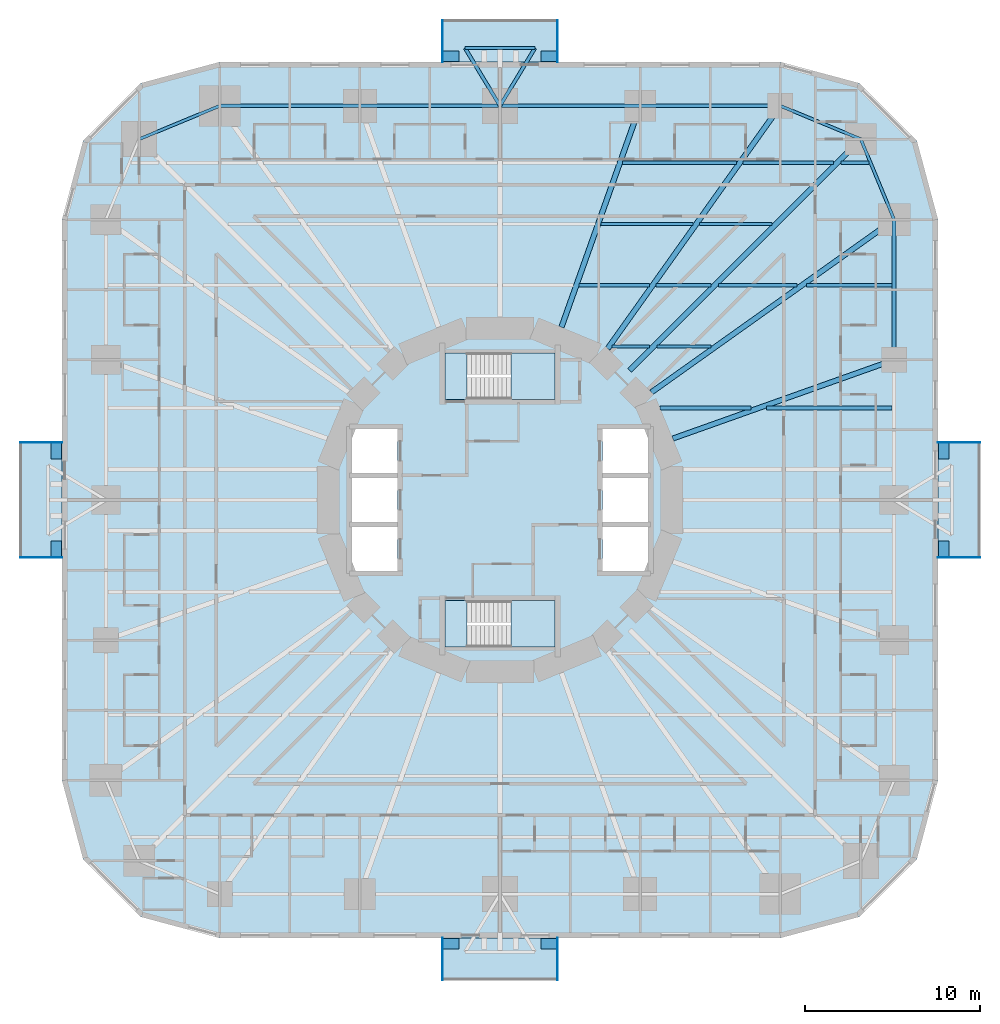
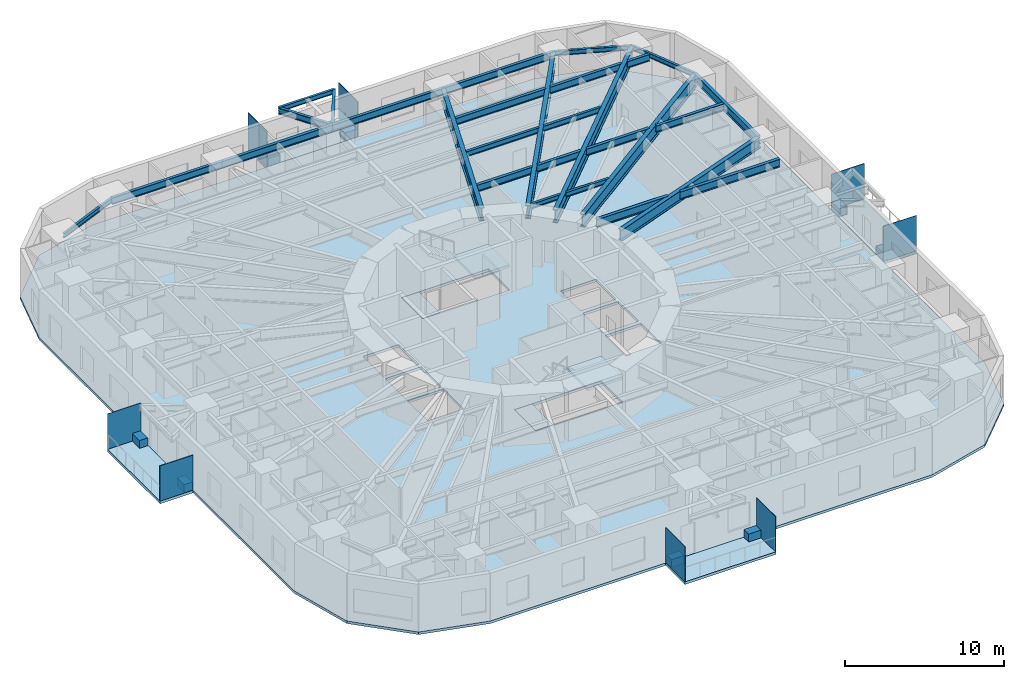
# One storey, part 3 of 14: 29 beams, 16 plates, 9 slabs, 2 elements without a shape of their own.
"""IFC4 building model written with IfcOpenShell, lengths in metres."""

from ifc_helpers import new_model, si_unit, direction, frame, origin, origin_2d, place, context, subcontext, project, spatial, polyline, rectangle, i_section, outline, extrude, material, layer, layer_set, material_profile, profile_set, type_object, element, aggregate, save


model = new_model("IFC4")

# Units and contexts
model_context = context("Model", 3, precision=1e-05, world=origin(), true_north=direction((0.0, 1.0)))
body_context = subcontext(model_context, "Body", "Model", "MODEL_VIEW")
ifc_project = project(units=[si_unit("LENGTHUNIT", "METRE"), si_unit("AREAUNIT", "SQUARE_METRE"), si_unit("VOLUMEUNIT", "CUBIC_METRE"), si_unit("PLANEANGLEUNIT", "RADIAN"), si_unit("MASSUNIT", "GRAM", prefix="KILO")], contexts=[model_context])

# Site, building, storey
site_placement = place(None, origin())
site = spatial("IfcSite", under=ifc_project, at=site_placement, CompositionType="ELEMENT")
building_placement = place(site_placement, origin())
building = spatial("IfcBuilding", under=site, at=building_placement, Name="Nakasero Lantern House", CompositionType="ELEMENT")
storey_placement = place(building_placement, frame((0.0, 0.0, 39.10009765625)))
storey = spatial("IfcBuildingStorey", under=building, at=storey_placement, Name="L09", CompositionType="ELEMENT", Elevation=39.10009765625)

# Beams
ifc_material_1 = material(Name="Steel S355", Category="steel")
ifc_material_profile_1 = material_profile(ifc_material_1, i_section(OverallWidth=0.199462890625, OverallDepth=0.491943359375, WebThickness=0.01806640625, FlangeThickness=0.031982421875, FilletRadius=0.01025390625, at=origin_2d()), Name="UB 457x191x161")
ifc_profile_set_1 = profile_set([ifc_material_profile_1], Name="Steel S355")
beam_type_1 = type_object("IfcBeamType", Name="Balcony splay beam UB 457x191x161", PredefinedType="BEAM", material=ifc_profile_set_1)
for number, where, z_axis, x_axis, name in (
    (1, (0.0, 22.5, 3.40380859375), (-0.518296107317, 0.855201230787, 0.0), (-0.855201230787, -0.518296107317, 0.0), "Balcony splay beam L10 B1-C09A"),
    (2, (0.0, 22.5, 3.40380859375), (0.518296107317, 0.855201230787, 0.0), (-0.855201230787, 0.518296107317, 0.0), "Balcony splay beam L10 B1-C09B"),
):
    element("IfcBeam", number, at=place(storey_placement, frame(where, z_axis=z_axis, x_axis=x_axis)), inside=storey, type_object=beam_type_1, Name=name, PredefinedType="BEAM", context=body_context, shape_type="SweptSolid", body=[
        extrude(i_section(OverallWidth=0.199462890625, OverallDepth=0.491943359375, WebThickness=0.01806640625, FlangeThickness=0.031982421875, FilletRadius=0.01025390625, at=origin_2d()), origin(), (0.0, 0.0, 1.0), 3.85888671875),
    ])
ifc_material_2 = material(Name="Steel S355", Category="steel")
ifc_material_profile_2 = material_profile(ifc_material_2, i_section(OverallWidth=0.17138671875, OverallDepth=0.35498046875, WebThickness=0.00732421875, FlangeThickness=0.011474609375, FilletRadius=0.01025390625, at=origin_2d()), Name="UB 356x171x51")
ifc_profile_set_2 = profile_set([ifc_material_profile_2], Name="Steel S355")
beam_type_2 = type_object("IfcBeamType", Name="Balcony tie beam UB 356x171x51", PredefinedType="BEAM", material=ifc_profile_set_2)
beam_1_placement = place(storey_placement, frame((-2.0, 25.800048828125, 3.472412109375), z_axis=(1.0, 0.0, 0.0), x_axis=(0.0, 1.0, 0.0)))
element("IfcBeam", 3, at=beam_1_placement, inside=storey, type_object=beam_type_2, Name="Balcony tie beam L10 B1-C09", PredefinedType="BEAM", context=body_context, shape_type="SweptSolid", body=[
    extrude(i_section(OverallWidth=0.17138671875, OverallDepth=0.35498046875, WebThickness=0.00732421875, FlangeThickness=0.011474609375, FilletRadius=0.01025390625, at=origin_2d()), origin(), (0.0, 0.0, 1.0), 4.0),
])
ifc_material_3 = material(Name="Steel S355", Category="steel")
ifc_material_profile_3 = material_profile(ifc_material_3, i_section(OverallWidth=0.17138671875, OverallDepth=0.35498046875, WebThickness=0.00732421875, FlangeThickness=0.011474609375, FilletRadius=0.01025390625, at=origin_2d()), Name="UB 356x171x51")
ifc_profile_set_3 = profile_set([ifc_material_profile_3], Name="Steel S355")
beam_type_3 = type_object("IfcBeamType", Name="Infill beam UB 356x171x51", PredefinedType="JOIST", material=ifc_profile_set_3)
beam_2_placement = place(storey_placement, frame((6.40625, 8.75, 3.472412109375), z_axis=(1.0, 0.0, 0.0), x_axis=(0.0, 1.0, 0.0)))
element("IfcBeam", 4, at=beam_2_placement, inside=storey, type_object=beam_type_3, Name="Infill beam L10 10.3", PredefinedType="JOIST", context=body_context, shape_type="SweptSolid", body=[
    extrude(i_section(OverallWidth=0.17138671875, OverallDepth=0.35498046875, WebThickness=0.00732421875, FlangeThickness=0.011474609375, FilletRadius=0.01025390625, at=origin_2d()), origin(), (0.0, 0.0, 1.0), 2.131591796875),
])
beam_3_placement = place(storey_placement, frame((8.962158203125, 8.75, 3.472412109375), z_axis=(1.0, 0.0, 0.0), x_axis=(0.0, 1.0, 0.0)))
element("IfcBeam", 5, at=beam_3_placement, inside=storey, type_object=beam_type_3, Name="Infill beam L10 10.4", PredefinedType="JOIST", context=body_context, shape_type="SweptSolid", body=[
    extrude(i_section(OverallWidth=0.17138671875, OverallDepth=0.35498046875, WebThickness=0.00732421875, FlangeThickness=0.011474609375, FilletRadius=0.01025390625, at=origin_2d()), origin(), (0.0, 0.0, 1.0), 3.083740234375),
])
ifc_material_4 = material(Name="Steel S355", Category="steel")
ifc_material_profile_4 = material_profile(ifc_material_4, i_section(OverallWidth=0.177978515625, OverallDepth=0.406494140625, WebThickness=0.0078125, FlangeThickness=0.0126953125, FilletRadius=0.01025390625, at=origin_2d()), Name="UB 406x178x60")
ifc_profile_set_4 = profile_set([ifc_material_profile_4], Name="Steel S355")
beam_type_4 = type_object("IfcBeamType", Name="Infill beam UB 406x178x60", PredefinedType="JOIST", material=ifc_profile_set_4)
beam_4_placement = place(storey_placement, frame((5.75927734375, 15.75, 3.44677734375), z_axis=(1.0, 0.0, 0.0), x_axis=(0.0, 1.0, 0.0)))
element("IfcBeam", 6, at=beam_4_placement, inside=storey, type_object=beam_type_4, Name="Infill beam L10 12.5", PredefinedType="JOIST", context=body_context, shape_type="SweptSolid", body=[
    extrude(i_section(OverallWidth=0.177978515625, OverallDepth=0.406494140625, WebThickness=0.0078125, FlangeThickness=0.0126953125, FilletRadius=0.01025390625, at=origin_2d()), origin(), (0.0, 0.0, 1.0), 5.256591796875),
])
beam_5_placement = place(storey_placement, frame((11.384033203125, 15.75, 3.44677734375), z_axis=(1.0, 0.0, 0.0), x_axis=(0.0, 1.0, 0.0)))
element("IfcBeam", 7, at=beam_5_placement, inside=storey, type_object=beam_type_4, Name="Infill beam L10 12.6", PredefinedType="JOIST", context=body_context, shape_type="SweptSolid", body=[
    extrude(i_section(OverallWidth=0.177978515625, OverallDepth=0.406494140625, WebThickness=0.0078125, FlangeThickness=0.0126953125, FilletRadius=0.01025390625, at=origin_2d()), origin(), (0.0, 0.0, 1.0), 4.15380859375),
])
ifc_material_5 = material(Name="Steel S355", Category="steel")
ifc_material_profile_5 = material_profile(ifc_material_5, i_section(OverallWidth=0.208740234375, OverallDepth=0.5283203125, WebThickness=0.009521484375, FlangeThickness=0.01318359375, FilletRadius=0.0126953125, at=origin_2d()), Name="UB 533x210x82")
ifc_profile_set_5 = profile_set([ifc_material_profile_5], Name="Steel S355")
beam_type_5 = type_object("IfcBeamType", Name="Infill beam UB 533x210x82", PredefinedType="JOIST", material=ifc_profile_set_5)
beam_6_placement = place(storey_placement, frame((4.5146484375, 12.25, 3.3857421875), z_axis=(1.0, 0.0, 0.0), x_axis=(0.0, 1.0, 0.0)))
element("IfcBeam", 8, at=beam_6_placement, inside=storey, type_object=beam_type_5, Name="Infill beam L10 11.7", PredefinedType="JOIST", context=body_context, shape_type="SweptSolid", body=[
    extrude(i_section(OverallWidth=0.208740234375, OverallDepth=0.5283203125, WebThickness=0.009521484375, FlangeThickness=0.01318359375, FilletRadius=0.0126953125, at=origin_2d()), origin(), (0.0, 0.0, 1.0), 4.012451171875),
])
beam_7_placement = place(storey_placement, frame((8.895263671875, 12.25, 3.3857421875), z_axis=(1.0, 0.0, 0.0), x_axis=(0.0, 1.0, 0.0)))
element("IfcBeam", 9, at=beam_7_placement, inside=storey, type_object=beam_type_5, Name="Infill beam L10 11.8", PredefinedType="JOIST", context=body_context, shape_type="SweptSolid", body=[
    extrude(i_section(OverallWidth=0.208740234375, OverallDepth=0.5283203125, WebThickness=0.009521484375, FlangeThickness=0.01318359375, FilletRadius=0.0126953125, at=origin_2d()), origin(), (0.0, 0.0, 1.0), 3.142578125),
])
beam_8_placement = place(storey_placement, frame((12.462158203125, 12.25, 3.3857421875), z_axis=(1.0, 0.0, 0.0), x_axis=(0.0, 1.0, 0.0)))
element("IfcBeam", 10, at=beam_8_placement, inside=storey, type_object=beam_type_5, Name="Infill beam L10 11.9", PredefinedType="JOIST", context=body_context, shape_type="SweptSolid", body=[
    extrude(i_section(OverallWidth=0.208740234375, OverallDepth=0.5283203125, WebThickness=0.009521484375, FlangeThickness=0.01318359375, FilletRadius=0.0126953125, at=origin_2d()), origin(), (0.0, 0.0, 1.0), 4.505615234375),
])
beam_9_placement = place(storey_placement, frame((17.4853515625, 12.25, 3.3857421875), z_axis=(1.0, 0.0, 0.0), x_axis=(0.0, 1.0, 0.0)))
element("IfcBeam", 11, at=beam_9_placement, inside=storey, type_object=beam_type_5, Name="Infill beam L10 11.10", PredefinedType="JOIST", context=body_context, shape_type="SweptSolid", body=[
    extrude(i_section(OverallWidth=0.208740234375, OverallDepth=0.5283203125, WebThickness=0.009521484375, FlangeThickness=0.01318359375, FilletRadius=0.0126953125, at=origin_2d()), origin(), (0.0, 0.0, 1.0), 4.900146484375),
])
beam_10_placement = place(storey_placement, frame((7.003662109375, 19.25, 3.3857421875), z_axis=(1.0, 0.0, 0.0), x_axis=(0.0, 1.0, 0.0)))
element("IfcBeam", 12, at=beam_10_placement, inside=storey, type_object=beam_type_5, Name="Infill beam L10 13.6", PredefinedType="JOIST", context=body_context, shape_type="SweptSolid", body=[
    extrude(i_section(OverallWidth=0.208740234375, OverallDepth=0.5283203125, WebThickness=0.009521484375, FlangeThickness=0.01318359375, FilletRadius=0.0126953125, at=origin_2d()), origin(), (0.0, 0.0, 1.0), 6.501220703125),
])
beam_11_placement = place(storey_placement, frame((13.873046875, 19.25, 3.3857421875), z_axis=(1.0, 0.0, 0.0), x_axis=(0.0, 1.0, 0.0)))
element("IfcBeam", 13, at=beam_11_placement, inside=storey, type_object=beam_type_5, Name="Infill beam L10 13.7", PredefinedType="JOIST", context=body_context, shape_type="SweptSolid", body=[
    extrude(i_section(OverallWidth=0.208740234375, OverallDepth=0.5283203125, WebThickness=0.009521484375, FlangeThickness=0.01318359375, FilletRadius=0.0126953125, at=origin_2d()), origin(), (0.0, 0.0, 1.0), 5.164794921875),
])
beam_12_placement = place(storey_placement, frame((19.462158203125, 19.25, 3.3857421875), z_axis=(1.0, 0.0, 0.0), x_axis=(0.0, 1.0, 0.0)))
element("IfcBeam", 14, at=beam_12_placement, inside=storey, type_object=beam_type_5, Name="Infill beam L10 13.8", PredefinedType="JOIST", context=body_context, shape_type="SweptSolid", body=[
    extrude(i_section(OverallWidth=0.208740234375, OverallDepth=0.5283203125, WebThickness=0.009521484375, FlangeThickness=0.01318359375, FilletRadius=0.0126953125, at=origin_2d()), origin(), (0.0, 0.0, 1.0), 1.598876953125),
])
ifc_material_6 = material(Name="Steel S355", Category="steel")
ifc_material_profile_6 = material_profile(ifc_material_6, i_section(OverallWidth=0.2275390625, OverallDepth=0.6025390625, WebThickness=0.010498046875, FlangeThickness=0.014892578125, FilletRadius=0.0126953125, at=origin_2d()), Name="UB 610x229x101")
ifc_profile_set_6 = profile_set([ifc_material_profile_6], Name="Steel S355")
beam_type_6 = type_object("IfcBeamType", Name="Infill beam UB 610x229x101", PredefinedType="JOIST", material=ifc_profile_set_6)
beam_13_placement = place(storey_placement, frame((9.144775390625, 5.25, 3.3486328125), z_axis=(1.0, 0.0, 0.0), x_axis=(0.0, 1.0, 0.0)))
element("IfcBeam", 15, at=beam_13_placement, inside=storey, type_object=beam_type_6, Name="Infill beam L10 09.3", PredefinedType="JOIST", context=body_context, shape_type="SweptSolid", body=[
    extrude(i_section(OverallWidth=0.2275390625, OverallDepth=0.6025390625, WebThickness=0.010498046875, FlangeThickness=0.014892578125, FilletRadius=0.0126953125, at=origin_2d()), origin(), (0.0, 0.0, 1.0), 5.184326171875),
])
beam_14_placement = place(storey_placement, frame((15.2021484375, 5.25, 3.3486328125), z_axis=(1.0, 0.0, 0.0), x_axis=(0.0, 1.0, 0.0)))
element("IfcBeam", 16, at=beam_14_placement, inside=storey, type_object=beam_type_6, Name="Infill beam L10 09.4", PredefinedType="JOIST", context=body_context, shape_type="SweptSolid", body=[
    extrude(i_section(OverallWidth=0.2275390625, OverallDepth=0.6025390625, WebThickness=0.010498046875, FlangeThickness=0.014892578125, FilletRadius=0.0126953125, at=origin_2d()), origin(), (0.0, 0.0, 1.0), 7.183349609375),
])
ifc_material_7 = material(Name="Steel S355", Category="steel")
ifc_material_profile_7 = material_profile(ifc_material_7, i_section(OverallWidth=0.300048828125, OverallDepth=0.97021484375, WebThickness=0.01611328125, FlangeThickness=0.02099609375, FilletRadius=0.030029296875, at=origin_2d()), Name="UB 1016x305x222")
ifc_profile_set_7 = profile_set([ifc_material_profile_7], Name="Steel S355")
beam_type_7 = type_object("IfcBeamType", Name="Primary beam UB 1016x305x222, span 12 to 15 m", PredefinedType="BEAM", material=ifc_profile_set_7)
beam_15_placement = place(storey_placement, frame((8.0, 22.5, 3.164794921875), z_axis=(-0.335010745293, -0.942214307118, 0.0), x_axis=(0.942214307118, -0.335010745293, 0.0)))
element("IfcBeam", 17, at=beam_15_placement, inside=storey, type_object=beam_type_7, Name="Primary beam L10 B1-C08", PredefinedType="BEAM", context=body_context, shape_type="SweptSolid", body=[
    extrude(i_section(OverallWidth=0.300048828125, OverallDepth=0.97021484375, WebThickness=0.01611328125, FlangeThickness=0.02099609375, FilletRadius=0.030029296875, at=origin_2d()), origin(), (0.0, 0.0, 1.0), 13.408447265625),
])
ifc_material_8 = material(Name="Steel S355", Category="steel")
ifc_material_profile_8 = material_profile(ifc_material_8, i_section(OverallWidth=0.300048828125, OverallDepth=0.989990234375, WebThickness=0.0166015625, FlangeThickness=0.031005859375, FilletRadius=0.030029296875, at=origin_2d()), Name="UB 1016x305x272")
ifc_profile_set_8 = profile_set([ifc_material_profile_8], Name="Steel S355")
beam_type_8 = type_object("IfcBeamType", Name="Primary beam UB 1016x305x272, span over 15 m", PredefinedType="BEAM", material=ifc_profile_set_8)
beam_16_placement = place(storey_placement, frame((22.5, 16.0, 3.15478515625), z_axis=(-0.814952159915, -0.579528236629, 0.0), x_axis=(0.579528236629, -0.814952159915, 0.0)))
element("IfcBeam", 18, at=beam_16_placement, inside=storey, type_object=beam_type_8, Name="Primary beam L10 B1-C05", PredefinedType="BEAM", context=body_context, shape_type="SweptSolid", body=[
    extrude(i_section(OverallWidth=0.300048828125, OverallDepth=0.989990234375, WebThickness=0.0166015625, FlangeThickness=0.031005859375, FilletRadius=0.030029296875, at=origin_2d()), origin(), (0.0, 0.0, 1.0), 17.003173828125),
])
beam_17_placement = place(storey_placement, frame((20.59619140625, 20.59619140625, 3.15478515625), z_axis=(-0.707106781187, -0.707106781187, 0.0), x_axis=(0.707106781187, -0.707106781187, 0.0)))
element("IfcBeam", 19, at=beam_17_placement, inside=storey, type_object=beam_type_8, Name="Primary beam L10 B1-C06", PredefinedType="BEAM", context=body_context, shape_type="SweptSolid", body=[
    extrude(i_section(OverallWidth=0.300048828125, OverallDepth=0.989990234375, WebThickness=0.0166015625, FlangeThickness=0.031005859375, FilletRadius=0.030029296875, at=origin_2d()), origin(), (0.0, 0.0, 1.0), 18.669677734375),
])
ifc_material_9 = material(Name="Steel S355", Category="steel")
ifc_material_profile_9 = material_profile(ifc_material_9, i_section(OverallWidth=0.300048828125, OverallDepth=1.0, WebThickness=0.01904296875, FlangeThickness=0.035888671875, FilletRadius=0.030029296875, at=origin_2d()), Name="UB 1016x305x314")
ifc_profile_set_9 = profile_set([ifc_material_profile_9], Name="Steel S355")
beam_type_9 = type_object("IfcBeamType", Name="Primary beam UB 1016x305x314, span over 15 m", PredefinedType="BEAM", material=ifc_profile_set_9)
beam_18_placement = place(storey_placement, frame((16.0, 22.5, 3.14990234375), z_axis=(-0.579528236629, -0.814952159915, 0.0), x_axis=(0.814952159915, -0.579528236629, 0.0)))
element("IfcBeam", 20, at=beam_18_placement, inside=storey, type_object=beam_type_9, Name="Primary beam L10 B1-C07", PredefinedType="BEAM", context=body_context, shape_type="SweptSolid", body=[
    extrude(i_section(OverallWidth=0.300048828125, OverallDepth=1.0, WebThickness=0.01904296875, FlangeThickness=0.035888671875, FilletRadius=0.030029296875, at=origin_2d()), origin(), (0.0, 0.0, 1.0), 17.003173828125),
])
ifc_material_10 = material(Name="Steel S355", Category="steel")
ifc_material_profile_10 = material_profile(ifc_material_10, i_section(OverallWidth=0.29248046875, OverallDepth=0.8408203125, WebThickness=0.0146484375, FlangeThickness=0.02685546875, FilletRadius=0.017822265625, at=origin_2d()), Name="UB 838x292x194")
ifc_profile_set_10 = profile_set([ifc_material_profile_10], Name="Steel S355")
beam_type_10 = type_object("IfcBeamType", Name="Primary beam UB 838x292x194, span 12 to 15 m", PredefinedType="BEAM", material=ifc_profile_set_10)
beam_19_placement = place(storey_placement, frame((22.5, 8.0, 3.2294921875), z_axis=(-0.942214307118, -0.335010745293, 0.0), x_axis=(0.335010745293, -0.942214307118, 0.0)))
element("IfcBeam", 21, at=beam_19_placement, inside=storey, type_object=beam_type_10, Name="Primary beam L10 B1-C04", PredefinedType="BEAM", context=body_context, shape_type="SweptSolid", body=[
    extrude(i_section(OverallWidth=0.29248046875, OverallDepth=0.8408203125, WebThickness=0.0146484375, FlangeThickness=0.02685546875, FilletRadius=0.017822265625, at=origin_2d()), origin(), (0.0, 0.0, 1.0), 13.408447265625),
])
ifc_material_11 = material(Name="Steel S355", Category="steel")
ifc_material_profile_11 = material_profile(ifc_material_11, i_section(OverallWidth=0.17138671875, OverallDepth=0.35498046875, WebThickness=0.00732421875, FlangeThickness=0.011474609375, FilletRadius=0.01025390625, at=origin_2d()), Name="UB 356x171x51")
ifc_profile_set_11 = profile_set([ifc_material_profile_11], Name="Steel S355")
beam_type_11 = type_object("IfcBeamType", Name="Ring beam UB 356x171x51", PredefinedType="BEAM", material=ifc_profile_set_11)
for number, where, z_axis, x_axis, name in (
    (22, (22.5, 16.0, 3.472412109375), (-0.382684080569, 0.923879264016, 0.0), (-0.923879264016, -0.382684080569, 0.0), "Ring beam L10 B1-C05"),
    (23, (20.59619140625, 20.59619140625, 3.472412109375), (-0.923879264016, 0.382684080569, 0.0), (-0.382684080569, -0.923879264016, 0.0), "Ring beam L10 B1-C06"),
    (24, (-16.0, 22.5, 3.472412109375), (-0.923879264016, -0.382684080569, 0.0), (0.382684080569, -0.923879264016, 0.0), "Ring beam L10 B1-C11"),
):
    element("IfcBeam", number, at=place(storey_placement, frame(where, z_axis=z_axis, x_axis=x_axis)), inside=storey, type_object=beam_type_11, Name=name, PredefinedType="BEAM", context=body_context, shape_type="SweptSolid", body=[
        extrude(i_section(OverallWidth=0.17138671875, OverallDepth=0.35498046875, WebThickness=0.00732421875, FlangeThickness=0.011474609375, FilletRadius=0.01025390625, at=origin_2d()), origin(), (0.0, 0.0, 1.0), 4.974853515625),
    ])
ifc_material_12 = material(Name="Steel S355", Category="steel")
ifc_material_profile_12 = material_profile(ifc_material_12, i_section(OverallWidth=0.2099609375, OverallDepth=0.53662109375, WebThickness=0.0107421875, FlangeThickness=0.017333984375, FilletRadius=0.0126953125, at=origin_2d()), Name="UB 533x210x101")
ifc_profile_set_12 = profile_set([ifc_material_profile_12], Name="Steel S355")
beam_type_12 = type_object("IfcBeamType", Name="Ring beam UB 533x210x101", PredefinedType="BEAM", material=ifc_profile_set_12)
for number, where, z_axis, x_axis, name in (
    (25, (16.0, 22.5, 3.381591796875), (-1.0, 0.0, 0.0), (0.0, -1.0, 0.0), "Ring beam L10 B1-C07"),
    (26, (8.0, 22.5, 3.381591796875), (-1.0, 0.0, 0.0), (0.0, -1.0, 0.0), "Ring beam L10 B1-C08"),
    (27, (0.0, 22.5, 3.381591796875), (-1.0, 0.0, 0.0), (0.0, -1.0, 0.0), "Ring beam L10 B1-C09"),
    (28, (-8.0, 22.5, 3.381591796875), (-1.0, 0.0, 0.0), (0.0, -1.0, 0.0), "Ring beam L10 B1-C10"),
):
    element("IfcBeam", number, at=place(storey_placement, frame(where, z_axis=z_axis, x_axis=x_axis)), inside=storey, type_object=beam_type_12, Name=name, PredefinedType="BEAM", context=body_context, shape_type="SweptSolid", body=[
        extrude(i_section(OverallWidth=0.2099609375, OverallDepth=0.53662109375, WebThickness=0.0107421875, FlangeThickness=0.017333984375, FilletRadius=0.0126953125, at=origin_2d()), origin(), (0.0, 0.0, 1.0), 8.0),
    ])
ifc_material_13 = material(Name="Steel S355", Category="steel")
ifc_material_profile_13 = material_profile(ifc_material_13, i_section(OverallWidth=0.22900390625, OverallDepth=0.6123046875, WebThickness=0.011962890625, FlangeThickness=0.01953125, FilletRadius=0.0126953125, at=origin_2d()), Name="UB 610x229x125")
ifc_profile_set_13 = profile_set([ifc_material_profile_13], Name="Steel S355")
beam_type_13 = type_object("IfcBeamType", Name="Ring beam UB 610x229x125", PredefinedType="BEAM", material=ifc_profile_set_13)
beam_20_placement = place(storey_placement, frame((22.5, 8.0, 3.34375), z_axis=(0.0, 1.0, 0.0), x_axis=(-1.0, 0.0, 0.0)))
element("IfcBeam", 29, at=beam_20_placement, inside=storey, type_object=beam_type_13, Name="Ring beam L10 B1-C04", PredefinedType="BEAM", context=body_context, shape_type="SweptSolid", body=[
    extrude(i_section(OverallWidth=0.22900390625, OverallDepth=0.6123046875, WebThickness=0.011962890625, FlangeThickness=0.01953125, FilletRadius=0.0126953125, at=origin_2d()), origin(), (0.0, 0.0, 1.0), 8.0),
])

# Plates
ifc_material_14 = material(Name="Aluminium 6063-T6", Category="aluminium")
ifc_layer_1 = layer(ifc_material_14, 0.60009765625)
ifc_layer_set_1 = layer_set([ifc_layer_1], Name="Balcony planter 600x900")
plate_type_1 = type_object("IfcPlateType", Name="Balcony planter 600x900", PredefinedType="USERDEFINED", material=ifc_layer_set_1)
for number, where, z_axis, x_axis, name in (
    (30, (25.320068359375, -2.7900390625, -0.000244140625), (0.0, 0.0, 1.0), (1.0, 0.0, 0.0), "Balcony PLANTER L09 BAL0A"),
    (31, (25.320068359375, 2.7900390625, -0.000244140625), (0.0, 0.0, 1.0), (1.0, 0.0, 0.0), "Balcony PLANTER L09 BAL0B"),
    (32, (2.7900390625, 25.320068359375, -0.000244140625), (0.0, 0.0, 1.0), (0.0, 1.0, 0.0), "Balcony PLANTER L09 BAL1A"),
    (33, (-2.7900390625, 25.320068359375, -0.000244140625), (0.0, 0.0, 1.0), (0.0, 1.0, 0.0), "Balcony PLANTER L09 BAL1B"),
    (34, (-25.320068359375, 2.7900390625, -0.000244140625), (0.0, 0.0, 1.0), (-1.0, 0.0, 0.0), "Balcony PLANTER L09 BAL2A"),
    (35, (-25.320068359375, -2.7900390625, -0.000244140625), (0.0, 0.0, 1.0), (-1.0, 0.0, 0.0), "Balcony PLANTER L09 BAL2B"),
    (36, (-2.7900390625, -25.320068359375, -0.000244140625), (0.0, 0.0, 1.0), (0.0, -1.0, 0.0), "Balcony PLANTER L09 BAL3A"),
    (37, (2.7900390625, -25.320068359375, -0.000244140625), (0.0, 0.0, 1.0), (0.0, -1.0, 0.0), "Balcony PLANTER L09 BAL3B"),
):
    element("IfcPlate", number, at=place(storey_placement, frame(where, z_axis=z_axis, x_axis=x_axis)), inside=storey, type_object=plate_type_1, Name=name, ObjectType="PLANTER", PredefinedType="USERDEFINED", context=body_context, shape_type="SweptSolid", body=[
        extrude(rectangle(XDim=0.60009765625, YDim=0.89990234375, at=origin_2d()), origin(), (0.0, 0.0, 1.0), 0.60009765625),
    ])
ifc_material_15 = material(Name="Aluminium 6063-T6", Category="aluminium")
ifc_layer_2 = layer(ifc_material_15, 0.0400390625)
ifc_layer_set_2 = layer_set([ifc_layer_2], Name="Balcony screen 2400x2700")
plate_type_2 = type_object("IfcPlateType", Name="Balcony screen 2400x2700", PredefinedType="SHEET", material=ifc_layer_set_2)
for number, where, z_axis, x_axis, name in (
    (38, (26.199951171875, -3.280029296875, 0.0), (0.0, 0.0, 1.0), (1.0, 0.0, 0.0), "Balcony SCREEN L09 BAL0A"),
    (39, (26.199951171875, 3.280029296875, 0.0), (0.0, 0.0, 1.0), (1.0, 0.0, 0.0), "Balcony SCREEN L09 BAL0B"),
    (40, (3.280029296875, 26.199951171875, 0.0), (0.0, 0.0, 1.0), (0.0, 1.0, 0.0), "Balcony SCREEN L09 BAL1A"),
    (41, (-3.280029296875, 26.199951171875, 0.0), (0.0, 0.0, 1.0), (0.0, 1.0, 0.0), "Balcony SCREEN L09 BAL1B"),
    (42, (-26.199951171875, 3.280029296875, 0.0), (0.0, 0.0, 1.0), (-1.0, 0.0, 0.0), "Balcony SCREEN L09 BAL2A"),
    (43, (-26.199951171875, -3.280029296875, 0.0), (0.0, 0.0, 1.0), (-1.0, 0.0, 0.0), "Balcony SCREEN L09 BAL2B"),
    (44, (-3.280029296875, -26.199951171875, 0.0), (0.0, 0.0, 1.0), (0.0, -1.0, 0.0), "Balcony SCREEN L09 BAL3A"),
    (45, (3.280029296875, -26.199951171875, 0.0), (0.0, 0.0, 1.0), (0.0, -1.0, 0.0), "Balcony SCREEN L09 BAL3B"),
):
    element("IfcPlate", number, at=place(storey_placement, frame(where, z_axis=z_axis, x_axis=x_axis)), inside=storey, type_object=plate_type_2, Name=name, PredefinedType="SHEET", context=body_context, shape_type="SweptSolid", body=[
        extrude(rectangle(XDim=2.39990234375, YDim=0.0400390625, at=origin_2d()), origin(), (0.0, 0.0, 1.0), 2.699951171875),
    ])

# Slabs
ifc_material_16 = material(Name="Concrete C35/45", Category="concrete")
ifc_layer_3 = layer(ifc_material_16, 0.199951171875)
ifc_layer_set_3 = layer_set([ifc_layer_3], Name="Balcony slab 200")
slab_type_1 = type_object("IfcSlabType", Name="Balcony slab 200", PredefinedType="USERDEFINED", material=ifc_layer_set_3)
slab_1_placement = place(storey_placement, frame((0.0, 0.0, -0.2001953125)))
element("IfcSlab", 46, at=slab_1_placement, inside=storey, type_object=slab_type_1, Name="Balcony L09 BAL0", ObjectType="BALCONY", PredefinedType="USERDEFINED", context=body_context, shape_type="SweptSolid", body=[
    extrude(outline(polyline([(25.0, -3.300048828125), (27.39990234375, -3.300048828125), (27.39990234375, 3.300048828125), (25.0, 3.300048828125), (25.0, -3.300048828125)])), origin(), (0.0, 0.0, 1.0), 0.2001953125),
])
slab_2_placement = place(storey_placement, frame((0.0, 0.0, -0.2001953125)))
element("IfcSlab", 47, at=slab_2_placement, inside=storey, type_object=slab_type_1, Name="Balcony L09 BAL1", ObjectType="BALCONY", PredefinedType="USERDEFINED", context=body_context, shape_type="SweptSolid", body=[
    extrude(outline(polyline([(3.300048828125, 25.0), (3.300048828125, 27.39990234375), (-3.300048828125, 27.39990234375), (-3.300048828125, 25.0), (3.300048828125, 25.0)])), origin(), (0.0, 0.0, 1.0), 0.2001953125),
])
slab_3_placement = place(storey_placement, frame((0.0, 0.0, -0.2001953125)))
element("IfcSlab", 48, at=slab_3_placement, inside=storey, type_object=slab_type_1, Name="Balcony L09 BAL2", ObjectType="BALCONY", PredefinedType="USERDEFINED", context=body_context, shape_type="SweptSolid", body=[
    extrude(outline(polyline([(-25.0, 3.300048828125), (-27.39990234375, 3.300048828125), (-27.39990234375, -3.300048828125), (-25.0, -3.300048828125), (-25.0, 3.300048828125)])), origin(), (0.0, 0.0, 1.0), 0.2001953125),
])
slab_4_placement = place(storey_placement, frame((0.0, 0.0, -0.2001953125)))
element("IfcSlab", 49, at=slab_4_placement, inside=storey, type_object=slab_type_1, Name="Balcony L09 BAL3", ObjectType="BALCONY", PredefinedType="USERDEFINED", context=body_context, shape_type="SweptSolid", body=[
    extrude(outline(polyline([(-3.300048828125, -25.0), (-3.300048828125, -27.39990234375), (3.300048828125, -27.39990234375), (3.300048828125, -25.0), (-3.300048828125, -25.0)])), origin(), (0.0, 0.0, 1.0), 0.2001953125),
])
ifc_material_17 = material(Name="Concrete C35/45", Category="concrete")
ifc_layer_4 = layer(ifc_material_17, 0.199951171875)
ifc_layer_set_4 = layer_set([ifc_layer_4], Name="Composite floor slab 200")
slab_type_2 = type_object("IfcSlabType", Name="Composite floor slab 200", PredefinedType="FLOOR", material=ifc_layer_set_4)
slab_5_placement = place(storey_placement, frame((0.0, 0.0, -0.2001953125)))
element("IfcSlab", 50, at=slab_5_placement, inside=storey, type_object=slab_type_2, Name="Floor slab L09", PredefinedType="FLOOR", context=body_context, shape_type="SweptSolid", body=[
    extrude(outline(polyline([(25.0, 16.0), (23.794189453125, 20.5), (20.5, 23.794189453125), (16.0, 25.0), (-16.0, 25.0), (-20.5, 23.794189453125), (-23.794189453125, 20.5), (-25.0, 16.0), (-25.0, -16.0), (-23.794189453125, -20.5), (-20.5, -23.794189453125), (-16.0, -25.0), (16.0, -25.0), (20.5, -23.794189453125), (23.794189453125, -20.5), (25.0, -16.0), (25.0, 16.0)]), holes=[polyline([(-8.449951171875, -4.050048828125), (-5.85009765625, -4.050048828125), (-5.85009765625, -1.550048828125), (-8.449951171875, -1.550048828125), (-8.449951171875, -4.050048828125)]), polyline([(-8.449951171875, -1.25), (-5.85009765625, -1.25), (-5.85009765625, 1.25), (-8.449951171875, 1.25), (-8.449951171875, -1.25)]), polyline([(-8.449951171875, 1.550048828125), (-5.85009765625, 1.550048828125), (-5.85009765625, 4.050048828125), (-8.449951171875, 4.050048828125), (-8.449951171875, 1.550048828125)]), polyline([(5.85009765625, -4.050048828125), (8.449951171875, -4.050048828125), (8.449951171875, -1.550048828125), (5.85009765625, -1.550048828125), (5.85009765625, -4.050048828125)]), polyline([(5.85009765625, -1.25), (8.449951171875, -1.25), (8.449951171875, 1.25), (5.85009765625, 1.25), (5.85009765625, -1.25)]), polyline([(5.85009765625, 1.550048828125), (8.449951171875, 1.550048828125), (8.449951171875, 4.050048828125), (5.85009765625, 4.050048828125), (5.85009765625, 1.550048828125)]), polyline([(-3.14990234375, 5.75), (3.14990234375, 5.75), (3.14990234375, 8.39990234375), (-3.14990234375, 8.39990234375), (-3.14990234375, 5.75)]), polyline([(-3.14990234375, -8.39990234375), (3.14990234375, -8.39990234375), (3.14990234375, -5.75), (-3.14990234375, -5.75), (-3.14990234375, -8.39990234375)])]), origin(), (0.0, 0.0, 1.0), 0.2001953125),
])

# Stair, slabs
ifc_material_18 = material(Name="Concrete C40/50", Category="concrete")
stair_type_1 = type_object("IfcStairType", Name="Escape stair ST1 22 risers", PredefinedType="HALF_TURN_STAIR", material=ifc_material_18)
stair_1_placement = place(storey_placement, origin())
stair_1 = element("IfcStair", 51, at=stair_1_placement, inside=storey, type_object=stair_type_1, Name="Escape stair ST1 L09", PredefinedType="HALF_TURN_STAIR")
ifc_material_19 = material(Name="Concrete C40/50", Category="concrete")
ifc_layer_5 = layer(ifc_material_19, 0.199951171875)
ifc_layer_set_5 = layer_set([ifc_layer_5], Name="Stair landing 200")
slab_type_3 = type_object("IfcSlabType", Name="Stair landing 200", PredefinedType="LANDING", material=ifc_layer_set_5)
slab_6_placement = place(storey_placement, frame((0.0, 0.0, -0.2001953125)))
slab_6 = element("IfcSlab", 52, at=slab_6_placement, type_object=slab_type_3, Name="ST1 landing 1", PredefinedType="LANDING", context=body_context, shape_type="SweptSolid", body=[
    extrude(outline(polyline([(-3.14990234375, 5.75), (-1.875, 5.75), (-1.875, 8.39990234375), (-3.14990234375, 8.39990234375), (-3.14990234375, 5.75)])), origin(), (0.0, 0.0, 1.0), 0.2001953125),
])
slab_7_placement = place(storey_placement, frame((0.0, 0.0, 1.724853515625)))
slab_7 = element("IfcSlab", 53, at=slab_7_placement, type_object=slab_type_3, Name="ST1 landing 2", PredefinedType="LANDING", context=body_context, shape_type="SweptSolid", body=[
    extrude(outline(polyline([(0.625, 5.75), (3.14990234375, 5.75), (3.14990234375, 8.39990234375), (0.625, 8.39990234375), (0.625, 5.75)])), origin(), (0.0, 0.0, 1.0), 0.199951171875),
])
aggregate(stair_1, [slab_6, slab_7])

ifc_material_20 = material(Name="Concrete C40/50", Category="concrete")
stair_type_2 = type_object("IfcStairType", Name="Escape stair ST2 22 risers", PredefinedType="HALF_TURN_STAIR", material=ifc_material_20)
stair_2_placement = place(storey_placement, origin())
stair_2 = element("IfcStair", 54, at=stair_2_placement, inside=storey, type_object=stair_type_2, Name="Escape stair ST2 L09", PredefinedType="HALF_TURN_STAIR")
slab_8_placement = place(storey_placement, frame((0.0, 0.0, -0.2001953125)))
slab_8 = element("IfcSlab", 55, at=slab_8_placement, type_object=slab_type_3, Name="ST2 landing 1", PredefinedType="LANDING", context=body_context, shape_type="SweptSolid", body=[
    extrude(outline(polyline([(-3.14990234375, -8.39990234375), (-1.875, -8.39990234375), (-1.875, -5.75), (-3.14990234375, -5.75), (-3.14990234375, -8.39990234375)])), origin(), (0.0, 0.0, 1.0), 0.2001953125),
])
slab_9_placement = place(storey_placement, frame((0.0, 0.0, 1.724853515625)))
slab_9 = element("IfcSlab", 56, at=slab_9_placement, type_object=slab_type_3, Name="ST2 landing 2", PredefinedType="LANDING", context=body_context, shape_type="SweptSolid", body=[
    extrude(outline(polyline([(0.625, -8.39990234375), (3.14990234375, -8.39990234375), (3.14990234375, -5.75), (0.625, -5.75), (0.625, -8.39990234375)])), origin(), (0.0, 0.0, 1.0), 0.199951171875),
])
aggregate(stair_2, [slab_8, slab_9])

save(model, "model.ifc")
